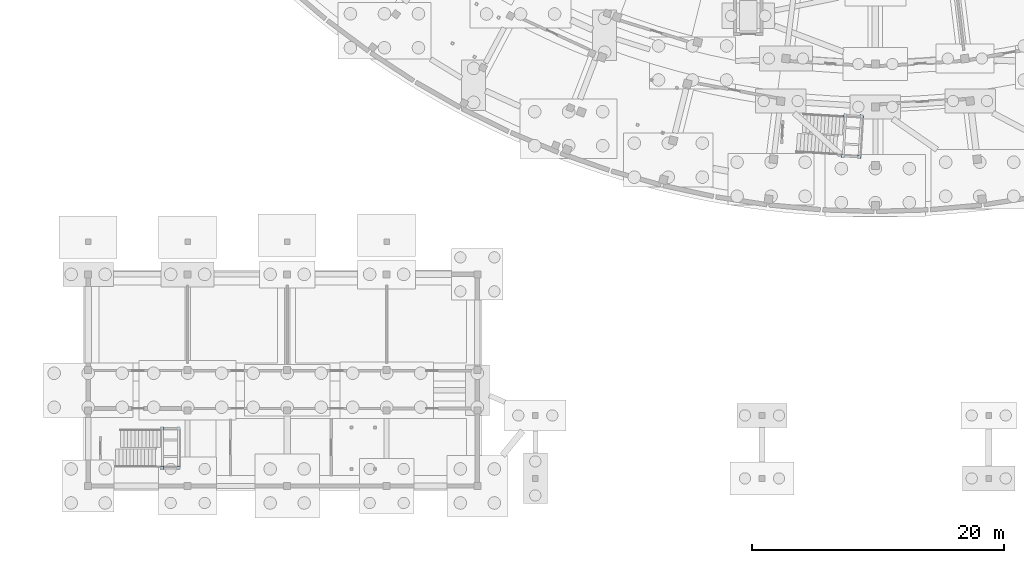
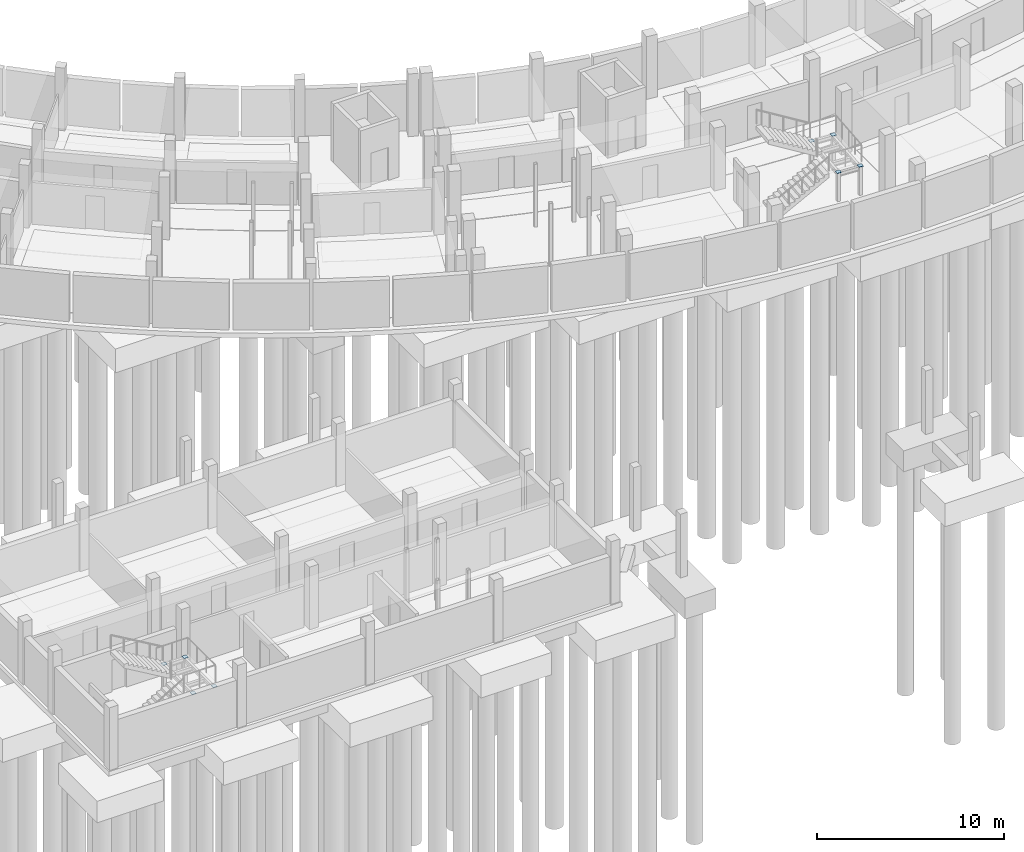
# One storey, part 35 of 58: 8 plates.
"""IFC4 building model written with IfcOpenShell, lengths in metres."""

from ifc_helpers import new_model, si_unit, direction, frame, origin, origin_2d, place, context, subcontext, project, spatial, rectangle, extrude, material, layer, layer_set, type_object, element, save


model = new_model("IFC4")

# Units and contexts
model_context = context("Model", 3, precision=1e-05, world=origin(), true_north=direction((0.0, 1.0)))
body_context = subcontext(model_context, "Body", "Model", "MODEL_VIEW")
ifc_project = project(units=[si_unit("LENGTHUNIT", "METRE"), si_unit("AREAUNIT", "SQUARE_METRE"), si_unit("VOLUMEUNIT", "CUBIC_METRE"), si_unit("PLANEANGLEUNIT", "RADIAN"), si_unit("MASSUNIT", "GRAM", prefix="KILO")], contexts=[model_context])

# Site, building, storey
site_placement = place(None, origin())
site = spatial("IfcSite", under=ifc_project, at=site_placement, CompositionType="ELEMENT")
building_placement = place(site_placement, origin())
building = spatial("IfcBuilding", under=site, at=building_placement, Name="Caldaven Crescent School", CompositionType="ELEMENT")
storey_placement = place(building_placement, frame((0.0, 0.0, -4.080078125)))
storey = spatial("IfcBuildingStorey", under=building, at=storey_placement, Name="B1", CompositionType="ELEMENT", Elevation=-4.080078125)

# Plates
ifc_material = material(Name="Steel ASTM A572 Grade 50", Category="steel")
ifc_layer = layer(ifc_material, 0.02001953125)
ifc_layer_set = layer_set([ifc_layer], Name="Steel ASTM A572 Grade 50")
plate_type = type_object("IfcPlateType", Name="PLT-CAP20", PredefinedType="USERDEFINED", material=ifc_layer_set)
for number, where, z_axis, x_axis, name in (
    (1, (31.3798828125, 5.639892578125, 1.860107421875), (0.0, 0.0, 1.0), (1.0, 0.0, 0.0), "CAP-STPOST-STB2-B1-A"),
    (2, (31.3798828125, 8.760009765625, 1.860107421875), (0.0, 0.0, 1.0), (1.0, 0.0, 0.0), "CAP-STPOST-STB2-B1-B"),
    (3, (32.679931640625, 5.639892578125, 1.860107421875), (0.0, 0.0, 1.0), (1.0, 0.0, 0.0), "CAP-STPOST-STB2-B1-C"),
    (4, (32.679931640625, 8.760009765625, 1.860107421875), (0.0, 0.0, 1.0), (1.0, 0.0, 0.0), "CAP-STPOST-STB2-B1-D"),
    (5, (85.420654296875, 30.405029296875, 1.860107421875), (0.0, 0.0, 1.0), (0.998134798422, -0.061048539535, 0.0), "CAP-STPOST-STB3-B1-A"),
    (6, (85.6171875, 33.619140625, 1.860107421875), (0.0, 0.0, 1.0), (0.998134798422, -0.061048539535, 0.0), "CAP-STPOST-STB3-B1-B"),
    (7, (86.71826171875, 30.32568359375, 1.860107421875), (0.0, 0.0, 1.0), (0.998134798422, -0.061048539535, 0.0), "CAP-STPOST-STB3-B1-C"),
    (8, (86.914794921875, 33.539794921875, 1.860107421875), (0.0, 0.0, 1.0), (0.998134798422, -0.061048539535, 0.0), "CAP-STPOST-STB3-B1-D"),
):
    element("IfcPlate", number, at=place(storey_placement, frame(where, z_axis=z_axis, x_axis=x_axis)), inside=storey, type_object=plate_type, Name=name, ObjectType="CAP_PLATE", PredefinedType="USERDEFINED", context=body_context, shape_type="SweptSolid", body=[
        extrude(rectangle(XDim=0.260009765625, YDim=0.260009765625, at=origin_2d()), origin(), (0.0, 0.0, 1.0), 0.02001953125),
    ])

save(model, "model.ifc")
